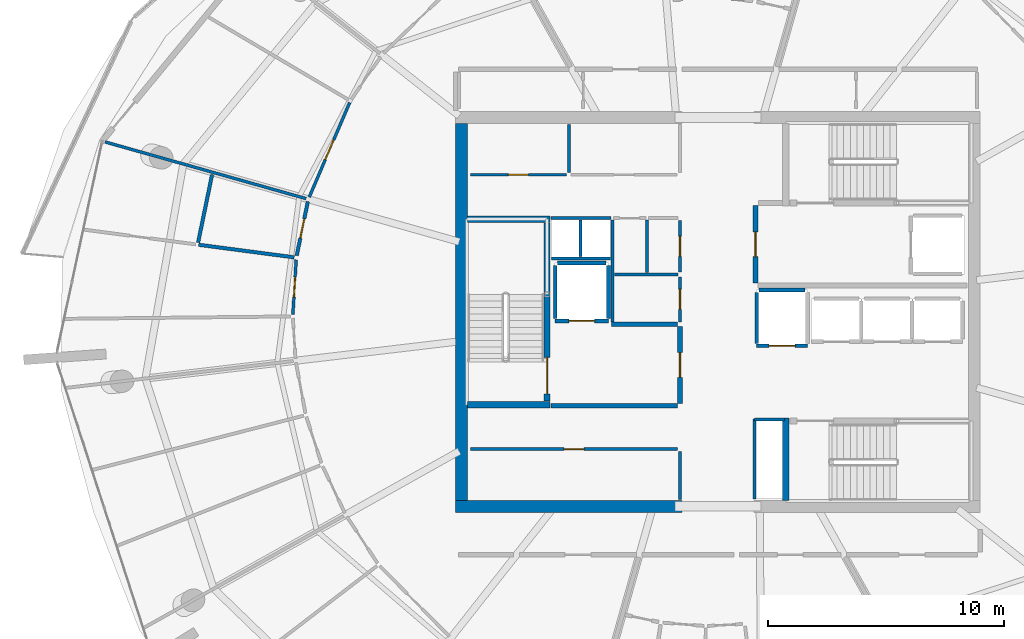
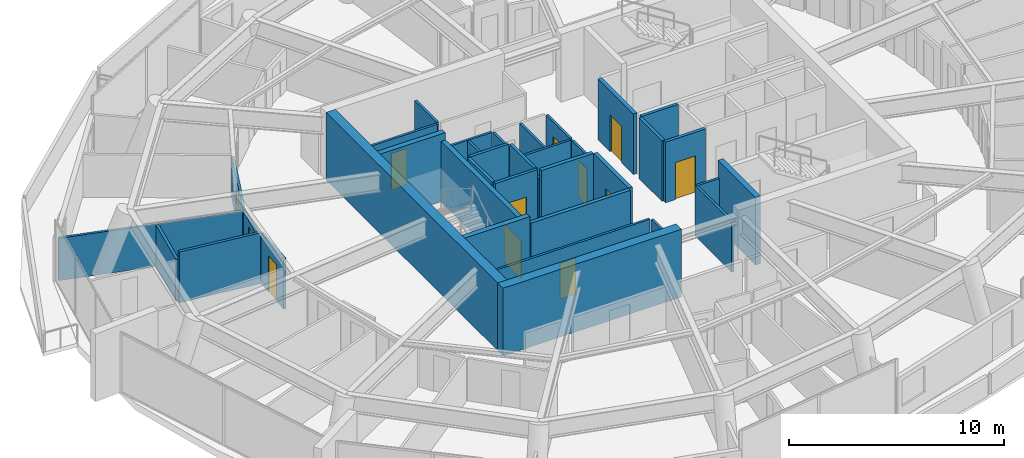
# One storey, part 15 of 24: 37 walls, 12 doors, 12 openings.
"""IFC4 building model written with IfcOpenShell, lengths in metres."""

from ifc_helpers import new_model, si_unit, direction, frame, frame_2d, origin, place, context, subcontext, project, spatial, rectangle, extrude, material, layer, layer_set, type_object, element, fill, save


model = new_model("IFC4")

# Units and contexts
model_context = context("Model", 3, precision=1e-05, world=origin(), true_north=direction((0.0, 1.0)))
body_context = subcontext(model_context, "Body", "Model", "MODEL_VIEW")
ifc_project = project(units=[si_unit("LENGTHUNIT", "METRE"), si_unit("AREAUNIT", "SQUARE_METRE"), si_unit("VOLUMEUNIT", "CUBIC_METRE"), si_unit("PLANEANGLEUNIT", "RADIAN"), si_unit("MASSUNIT", "GRAM", prefix="KILO")], contexts=[model_context])

# Site, building, storey
site_placement = place(None, origin())
site = spatial("IfcSite", under=ifc_project, at=site_placement, CompositionType="ELEMENT")
building_placement = place(site_placement, origin())
building = spatial("IfcBuilding", under=site, at=building_placement, Name="Kazma Halo Residences", CompositionType="ELEMENT")
storey_placement = place(building_placement, frame((0.0, 0.0, 309.85009765625)))
storey = spatial("IfcBuildingStorey", under=building, at=storey_placement, Name="L78", CompositionType="ELEMENT", Elevation=309.85009765625)

# Walls
ifc_material_1 = material(Name="Concrete C60/75", Category="concrete")
ifc_layer_1 = layer(ifc_material_1, 0.5)
ifc_layer_set_1 = layer_set([ifc_layer_1], Name="Concrete C60/75")
wall_type_1 = type_object("IfcWallType", Name="WL-CORE-500", PredefinedType="SHEAR", material=ifc_layer_set_1)
wall_1_placement = place(storey_placement, frame((37.300048828125, 33.75, 0.0), z_axis=(0.0, 0.0, 1.0), x_axis=(1.0, 0.0, 0.0)))
element("IfcWall", 1, at=wall_1_placement, inside=storey, type_object=wall_type_1, Name="L78 central core shear wall SW", PredefinedType="SHEAR", context=body_context, shape_type="SweptSolid", body=[
    extrude(rectangle(XDim=9.599853515625, YDim=0.5, at=frame_2d((4.7998046875, 0.0))), origin(), (0.0, 0.0, 1.0), 3.849853515625),
])
wall_2_placement = place(storey_placement, frame((37.550048828125, 34.0, 0.0), z_axis=(0.0, 0.0, 1.0), x_axis=(0.0, 1.0, 0.0)))
element("IfcWall", 2, at=wall_2_placement, inside=storey, type_object=wall_type_1, Name="L78 central core shear wall W", PredefinedType="SHEAR", context=body_context, shape_type="SweptSolid", body=[
    extrude(rectangle(XDim=16.0, YDim=0.5, at=frame_2d((8.0, 0.0))), origin(), (0.0, 0.0, 1.0), 3.849853515625),
])
ifc_layer_2 = layer(ifc_material_1, 0.280029296875)
ifc_layer_set_2 = layer_set([ifc_layer_2], Name="Concrete C60/75")
wall_type_2 = type_object("IfcWallType", Name="WL-CORE-ST-280", PredefinedType="SHEAR", material=ifc_layer_set_2)
for number, where, z_axis, x_axis, name in (
    (3, (37.800048828125, 38.06005859375, 0.0), (0.0, 0.0, 1.0), (1.0, 0.0, 0.0), "L78 stairwell bearing wall ST01-S"),
    (4, (37.800048828125, 45.93994140625, 0.0), (0.0, 0.0, 1.0), (1.0, 0.0, 0.0), "L78 stairwell bearing wall ST01-N"),
    (5, (51.31005859375, 34.0, 0.0), (0.0, 0.0, 1.0), (0.0, 1.0, 0.0), "L78 stairwell bearing wall ST03-W"),
):
    element("IfcWall", number, at=place(storey_placement, frame(where, z_axis=z_axis, x_axis=x_axis)), inside=storey, type_object=wall_type_2, Name=name, PredefinedType="SHEAR", context=body_context, shape_type="SweptSolid", body=[
        extrude(rectangle(XDim=3.5, YDim=0.280029296875, at=frame_2d((1.75, 0.0))), origin(), (0.0, 0.0, 1.0), 3.849853515625),
    ])

# Wall, opening, door
ifc_material_2 = material(Name="Fire-Rated Blockwork Masonry", Category="masonry")
ifc_layer_3 = layer(ifc_material_2, 0.199951171875)
ifc_layer_set_3 = layer_set([ifc_layer_3], Name="Fire-Rated Blockwork Masonry")
wall_type_3 = type_object("IfcWallType", Name="WL-FLB-200", PredefinedType="PARTITIONING", material=ifc_layer_set_3)
wall_3_placement = place(storey_placement, frame((43.780029296875, 41.6201171875, 0.0), z_axis=(0.0, 0.0, 1.0), x_axis=(-1.0, 0.0, 0.0)))
wall_3 = element("IfcWall", 6, at=wall_3_placement, inside=storey, type_object=wall_type_3, Name="L78 lift shaft FL-01 front wall", PredefinedType="PARTITIONING", context=body_context, shape_type="SweptSolid", body=[
    extrude(rectangle(XDim=2.260009765625, YDim=0.159912109375, at=frame_2d((1.1298828125, 0.0))), origin(), (0.0, 0.0, 1.0), 3.449951171875),
])
opening_1_placement = place(wall_3_placement, frame((0.580078125, 0.0, 0.0)))
opening_1 = element("IfcOpeningElement", 7, at=opening_1_placement, cuts=wall_3, Name="Opening LD-FL-01", PredefinedType="OPENING", context=body_context, shape_type="SweptSolid", body=[
    extrude(rectangle(XDim=1.10009765625, YDim=2.10009765625, at=frame_2d((0.550048828125, 1.050048828125))), frame((0.0, 0.08984375, 0.0), z_axis=(0.0, -1.0, 0.0), x_axis=(1.0, 0.0, 0.0)), (0.0, 0.0, 1.0), 0.179931640625),
])
ifc_material_3 = material(Name="Stainless Steel Fire-Rated", Category="steel")
door_type_1 = type_object("IfcDoorType", Name="DR-LIFT-SLD-1100", OperationType="DOUBLE_DOOR_SLIDING", PredefinedType="DOOR", material=ifc_material_3)
door_1_placement = place(opening_1_placement, origin())
door_1 = element("IfcDoor", 8, at=door_1_placement, inside=storey, type_object=door_type_1, Name="L78 lift FL-01 sliding landing door", OperationType="DOUBLE_DOOR_SLIDING", OverallHeight=2.10009765625, OverallWidth=1.10009765625, PredefinedType="DOOR", context=body_context, shape_type="SweptSolid", body=[
    extrude(rectangle(XDim=1.10009765625, YDim=2.10009765625, at=frame_2d((0.550048828125, 1.050048828125))), frame((0.0, 0.02490234375, 0.0), z_axis=(0.0, -1.0, 0.0), x_axis=(1.0, 0.0, 0.0)), (0.0, 0.0, 1.0), 0.050048828125),
])
fill(opening_1, door_1)

# Walls
for number, where, z_axis, x_axis, name in (
    (9, (43.780029296875, 41.719970703125, 0.0), (0.0, 0.0, 1.0), (0.0, 1.0, 0.0), "L78 lift shaft FL-01 side wall E"),
    (10, (41.52001953125, 41.719970703125, 0.0), (0.0, 0.0, 1.0), (0.0, 1.0, 0.0), "L78 lift shaft FL-01 side wall W"),
):
    element("IfcWall", number, at=place(storey_placement, frame(where, z_axis=z_axis, x_axis=x_axis)), inside=storey, type_object=wall_type_3, Name=name, PredefinedType="PARTITIONING", context=body_context, shape_type="SweptSolid", body=[
        extrude(rectangle(XDim=2.260009765625, YDim=0.159912109375, at=frame_2d((1.1298828125, 0.0))), origin(), (0.0, 0.0, 1.0), 3.449951171875),
    ])
wall_4_placement = place(storey_placement, frame((41.6201171875, 44.080078125, 0.0), z_axis=(0.0, 0.0, 1.0), x_axis=(1.0, 0.0, 0.0)))
element("IfcWall", 11, at=wall_4_placement, inside=storey, type_object=wall_type_3, Name="L78 lift shaft FL-01 side wall N", PredefinedType="PARTITIONING", context=body_context, shape_type="SweptSolid", body=[
    extrude(rectangle(XDim=2.059814453125, YDim=0.159912109375, at=frame_2d((1.02978515625, 0.0))), origin(), (0.0, 0.0, 1.0), 3.449951171875),
])

# Wall, opening, door
wall_5_placement = place(storey_placement, frame((52.22998046875, 40.570068359375, 0.0), z_axis=(0.0, 0.0, 1.0), x_axis=(-1.0, 0.0, 0.0)))
wall_5 = element("IfcWall", 12, at=wall_5_placement, inside=storey, type_object=wall_type_3, Name="L78 lift shaft SV-01 front wall", PredefinedType="PARTITIONING", context=body_context, shape_type="SweptSolid", body=[
    extrude(rectangle(XDim=2.159912109375, YDim=0.159912109375, at=frame_2d((1.080078125, 0.0))), origin(), (0.0, 0.0, 1.0), 3.449951171875),
])
opening_2_placement = place(wall_5_placement, frame((0.530029296875, 0.0, 0.0)))
opening_2 = element("IfcOpeningElement", 13, at=opening_2_placement, cuts=wall_5, Name="Opening LD-SV-01", PredefinedType="OPENING", context=body_context, shape_type="SweptSolid", body=[
    extrude(rectangle(XDim=1.10009765625, YDim=2.10009765625, at=frame_2d((0.550048828125, 1.050048828125))), frame((0.0, 0.08984375, 0.0), z_axis=(0.0, -1.0, 0.0), x_axis=(1.0, 0.0, 0.0)), (0.0, 0.0, 1.0), 0.179931640625),
])
door_2_placement = place(opening_2_placement, origin())
door_2 = element("IfcDoor", 14, at=door_2_placement, inside=storey, type_object=door_type_1, Name="L78 lift SV-01 sliding landing door", OperationType="DOUBLE_DOOR_SLIDING", OverallHeight=2.10009765625, OverallWidth=1.10009765625, PredefinedType="DOOR", context=body_context, shape_type="SweptSolid", body=[
    extrude(rectangle(XDim=1.10009765625, YDim=2.10009765625, at=frame_2d((0.550048828125, 1.050048828125))), frame((0.0, 0.02490234375, 0.0), z_axis=(0.0, -1.0, 0.0), x_axis=(1.0, 0.0, 0.0)), (0.0, 0.0, 1.0), 0.050048828125),
])
fill(opening_2, door_2)

# Walls
wall_6_placement = place(storey_placement, frame((50.070068359375, 40.669921875, 0.0), z_axis=(0.0, 0.0, 1.0), x_axis=(0.0, 1.0, 0.0)))
element("IfcWall", 15, at=wall_6_placement, inside=storey, type_object=wall_type_3, Name="L78 lift shaft SV-01 side wall W", PredefinedType="PARTITIONING", context=body_context, shape_type="SweptSolid", body=[
    extrude(rectangle(XDim=2.16015625, YDim=0.159912109375, at=frame_2d((1.080078125, 0.0))), origin(), (0.0, 0.0, 1.0), 3.449951171875),
])
wall_7_placement = place(storey_placement, frame((50.169921875, 42.929931640625, 0.0), z_axis=(0.0, 0.0, 1.0), x_axis=(1.0, 0.0, 0.0)))
element("IfcWall", 16, at=wall_7_placement, inside=storey, type_object=wall_type_3, Name="L78 lift shaft SV-01 side wall N", PredefinedType="PARTITIONING", context=body_context, shape_type="SweptSolid", body=[
    extrude(rectangle(XDim=1.9599609375, YDim=0.159912109375, at=frame_2d((0.97998046875, 0.0))), origin(), (0.0, 0.0, 1.0), 3.449951171875),
])
wall_8_placement = place(storey_placement, frame((41.35009765625, 38.02001953125, 0.0), z_axis=(0.0, 0.0, 1.0), x_axis=(1.0, 0.0, 0.0)))
element("IfcWall", 17, at=wall_8_placement, inside=storey, type_object=wall_type_3, Name="L78 west firefighting lobby south smoke wall", PredefinedType="PARTITIONING", context=body_context, shape_type="SweptSolid", body=[
    extrude(rectangle(XDim=5.369873046875, YDim=0.199951171875, at=frame_2d((2.68505859375, 0.0))), origin(), (0.0, 0.0, 1.0), 3.449951171875),
])
wall_9_placement = place(storey_placement, frame((43.919921875, 41.47998046875, 0.0), z_axis=(0.0, 0.0, 1.0), x_axis=(1.0, 0.0, 0.0)))
element("IfcWall", 18, at=wall_9_placement, inside=storey, type_object=wall_type_3, Name="L78 west firefighting lobby north smoke wall", PredefinedType="PARTITIONING", context=body_context, shape_type="SweptSolid", body=[
    extrude(rectangle(XDim=2.800048828125, YDim=0.199951171875, at=frame_2d((1.39990234375, 0.0))), origin(), (0.0, 0.0, 1.0), 3.449951171875),
])

# Wall, opening, door
wall_10_placement = place(storey_placement, frame((46.820068359375, 38.1201171875, 0.0), z_axis=(0.0, 0.0, 1.0), x_axis=(0.0, 1.0, 0.0)))
wall_10 = element("IfcWall", 19, at=wall_10_placement, inside=storey, type_object=wall_type_3, Name="L78 west firefighting lobby smoke wall", PredefinedType="PARTITIONING", context=body_context, shape_type="SweptSolid", body=[
    extrude(rectangle(XDim=3.259765625, YDim=0.199951171875, at=frame_2d((1.6298828125, 0.0))), origin(), (0.0, 0.0, 1.0), 3.449951171875),
])
opening_3_placement = place(wall_10_placement, frame((1.10498046875, 0.0, 0.0)))
opening_3 = element("IfcOpeningElement", 20, at=opening_3_placement, cuts=wall_10, Name="Opening D-FLW", PredefinedType="OPENING", context=body_context, shape_type="SweptSolid", body=[
    extrude(rectangle(XDim=1.050048828125, YDim=2.10009765625, at=frame_2d((0.52490234375, 1.050048828125))), frame((0.0, 0.10986328125, 0.0), z_axis=(0.0, -1.0, 0.0), x_axis=(1.0, 0.0, 0.0)), (0.0, 0.0, 1.0), 0.219970703125),
])
ifc_material_4 = material(Name="Fire-Rated Steel Leaf", Category="steel")
door_type_2 = type_object("IfcDoorType", Name="DR-FD90-1050", OperationType="NOTDEFINED", PredefinedType="DOOR", material=ifc_material_4)
door_3_placement = place(opening_3_placement, origin())
door_3 = element("IfcDoor", 21, at=door_3_placement, inside=storey, type_object=door_type_2, Name="L78 west firefighting lobby smoke door", OperationType="SINGLE_SWING_LEFT", OverallHeight=2.10009765625, OverallWidth=1.050048828125, PredefinedType="DOOR", context=body_context, shape_type="SweptSolid", body=[
    extrude(rectangle(XDim=1.050048828125, YDim=2.10009765625, at=frame_2d((0.52490234375, 1.050048828125))), frame((0.0, 0.02490234375, 0.0), z_axis=(0.0, -1.0, 0.0), x_axis=(1.0, 0.0, 0.0)), (0.0, 0.0, 1.0), 0.050048828125),
])
fill(opening_3, door_3)

wall_11_placement = place(storey_placement, frame((50.02001953125, 43.219970703125, 0.0), z_axis=(0.0, 0.0, 1.0), x_axis=(0.0, 1.0, 0.0)))
wall_11 = element("IfcWall", 22, at=wall_11_placement, inside=storey, type_object=wall_type_3, Name="L78 east firefighting lobby smoke wall", PredefinedType="PARTITIONING", context=body_context, shape_type="SweptSolid", body=[
    extrude(rectangle(XDim=3.300048828125, YDim=0.199951171875, at=frame_2d((1.64990234375, 0.0))), origin(), (0.0, 0.0, 1.0), 3.449951171875),
])
opening_4_placement = place(wall_11_placement, frame((1.125, 0.0, 0.0)))
opening_4 = element("IfcOpeningElement", 23, at=opening_4_placement, cuts=wall_11, Name="Opening D-FLE", PredefinedType="OPENING", context=body_context, shape_type="SweptSolid", body=[
    extrude(rectangle(XDim=1.050048828125, YDim=2.10009765625, at=frame_2d((0.52490234375, 1.050048828125))), frame((0.0, 0.10986328125, 0.0), z_axis=(0.0, -1.0, 0.0), x_axis=(1.0, 0.0, 0.0)), (0.0, 0.0, 1.0), 0.219970703125),
])
door_4_placement = place(opening_4_placement, origin())
door_4 = element("IfcDoor", 24, at=door_4_placement, inside=storey, type_object=door_type_2, Name="L78 east firefighting lobby smoke door", OperationType="SINGLE_SWING_RIGHT", OverallHeight=2.10009765625, OverallWidth=1.050048828125, PredefinedType="DOOR", context=body_context, shape_type="SweptSolid", body=[
    extrude(rectangle(XDim=1.050048828125, YDim=2.10009765625, at=frame_2d((0.52490234375, 1.050048828125))), frame((0.0, 0.02490234375, 0.0), z_axis=(0.0, -1.0, 0.0), x_axis=(1.0, 0.0, 0.0)), (0.0, 0.0, 1.0), 0.050048828125),
])
fill(opening_4, door_4)

# Wall
ifc_material_5 = material(Name="Gypsum Plasterboard Partition")
ifc_layer_4 = layer(ifc_material_5, 0.125)
ifc_layer_set_4 = layer_set([ifc_layer_4], Name="Gypsum Plasterboard Partition")
wall_type_4 = type_object("IfcWallType", Name="WL-PART-125", PredefinedType="PARTITIONING", material=ifc_layer_set_4)
wall_12_placement = place(storey_placement, frame((46.820068359375, 34.050048828125, 0.0), z_axis=(0.0, 0.0, 1.0), x_axis=(0.0, 1.0, 0.0)))
element("IfcWall", 25, at=wall_12_placement, inside=storey, type_object=wall_type_4, Name="L78 reclaimed south east wall", PredefinedType="PARTITIONING", context=body_context, shape_type="SweptSolid", body=[
    extrude(rectangle(XDim=2.030029296875, YDim=0.125, at=frame_2d((1.01513671875, 0.0))), origin(), (0.0, 0.0, 1.0), 2.889892578125),
])

# Wall, opening, door
wall_13_placement = place(storey_placement, frame((37.919921875, 36.179931640625, 0.0), z_axis=(0.0, 0.0, 1.0), x_axis=(1.0, 0.0, 0.0)))
wall_13 = element("IfcWall", 26, at=wall_13_placement, inside=storey, type_object=wall_type_4, Name="L78 reclaimed south front wall", PredefinedType="PARTITIONING", context=body_context, shape_type="SweptSolid", body=[
    extrude(rectangle(XDim=8.800048828125, YDim=0.125, at=frame_2d((4.39990234375, 0.0))), origin(), (0.0, 0.0, 1.0), 2.889892578125),
])
opening_5_placement = place(wall_13_placement, frame((3.97509765625, 0.0, 0.0)))
opening_5 = element("IfcOpeningElement", 27, at=opening_5_placement, cuts=wall_13, Name="Opening DS-850", PredefinedType="OPENING", context=body_context, shape_type="SweptSolid", body=[
    extrude(rectangle(XDim=0.85009765625, YDim=2.06005859375, at=frame_2d((0.425048828125, 1.030029296875))), frame((0.0, 0.072509765625, 0.0), z_axis=(0.0, -1.0, 0.0), x_axis=(1.0, 0.0, 0.0)), (0.0, 0.0, 1.0), 0.14501953125),
])
ifc_material_6 = material(Name="Painted Steel Access Leaf", Category="steel")
door_type_3 = type_object("IfcDoorType", Name="DR-SVC-850", OperationType="NOTDEFINED", PredefinedType="DOOR", material=ifc_material_6)
door_5_placement = place(opening_5_placement, origin())
door_5 = element("IfcDoor", 28, at=door_5_placement, inside=storey, type_object=door_type_3, Name="L78 reclaimed south service door", OperationType="SINGLE_SWING_LEFT", OverallHeight=2.06005859375, OverallWidth=0.85009765625, PredefinedType="DOOR", context=body_context, shape_type="SweptSolid", body=[
    extrude(rectangle(XDim=0.85009765625, YDim=2.06005859375, at=frame_2d((0.425048828125, 1.030029296875))), frame((0.0, 0.02490234375, 0.0), z_axis=(0.0, -1.0, 0.0), x_axis=(1.0, 0.0, 0.0)), (0.0, 0.0, 1.0), 0.050048828125),
])
fill(opening_5, door_5)

# Wall
wall_14_placement = place(storey_placement, frame((42.10009765625, 47.919921875, 0.0), z_axis=(0.0, 0.0, 1.0), x_axis=(0.0, 1.0, 0.0)))
element("IfcWall", 29, at=wall_14_placement, inside=storey, type_object=wall_type_4, Name="L78 reclaimed north divider wall", PredefinedType="PARTITIONING", context=body_context, shape_type="SweptSolid", body=[
    extrude(rectangle(XDim=2.030029296875, YDim=0.125, at=frame_2d((1.01513671875, 0.0))), origin(), (0.0, 0.0, 1.0), 2.889892578125),
])

# Wall, opening, door
wall_15_placement = place(storey_placement, frame((37.919921875, 47.820068359375, 0.0), z_axis=(0.0, 0.0, 1.0), x_axis=(1.0, 0.0, 0.0)))
wall_15 = element("IfcWall", 30, at=wall_15_placement, inside=storey, type_object=wall_type_4, Name="L78 reclaimed north W front wall", PredefinedType="PARTITIONING", context=body_context, shape_type="SweptSolid", body=[
    extrude(rectangle(XDim=4.080078125, YDim=0.125, at=frame_2d((2.0400390625, 0.0))), origin(), (0.0, 0.0, 1.0), 2.889892578125),
])
opening_6_placement = place(wall_15_placement, frame((1.614990234375, 0.0, 0.0)))
opening_6 = element("IfcOpeningElement", 31, at=opening_6_placement, cuts=wall_15, Name="Opening DS-850", PredefinedType="OPENING", context=body_context, shape_type="SweptSolid", body=[
    extrude(rectangle(XDim=0.85009765625, YDim=2.06005859375, at=frame_2d((0.425048828125, 1.030029296875))), frame((0.0, 0.072509765625, 0.0), z_axis=(0.0, -1.0, 0.0), x_axis=(1.0, 0.0, 0.0)), (0.0, 0.0, 1.0), 0.14501953125),
])
door_6_placement = place(opening_6_placement, origin())
door_6 = element("IfcDoor", 32, at=door_6_placement, inside=storey, type_object=door_type_3, Name="L78 reclaimed north W door", OperationType="SINGLE_SWING_RIGHT", OverallHeight=2.06005859375, OverallWidth=0.85009765625, PredefinedType="DOOR", context=body_context, shape_type="SweptSolid", body=[
    extrude(rectangle(XDim=0.85009765625, YDim=2.06005859375, at=frame_2d((0.425048828125, 1.030029296875))), frame((0.0, 0.02490234375, 0.0), z_axis=(0.0, -1.0, 0.0), x_axis=(1.0, 0.0, 0.0)), (0.0, 0.0, 1.0), 0.050048828125),
])
fill(opening_6, door_6)

# Walls
wall_16_placement = place(storey_placement, frame((41.360107421875, 44.260009765625, 0.0), z_axis=(0.0, 0.0, 1.0), x_axis=(1.0, 0.0, 0.0)))
element("IfcWall", 33, at=wall_16_placement, inside=storey, type_object=wall_type_4, Name="L78 core riser south wall", PredefinedType="PARTITIONING", context=body_context, shape_type="SweptSolid", body=[
    extrude(rectangle(XDim=2.5, YDim=0.125, at=frame_2d((1.25, 0.0))), origin(), (0.0, 0.0, 1.0), 2.889892578125),
])
wall_17_placement = place(storey_placement, frame((42.60009765625, 44.35009765625, 0.0), z_axis=(0.0, 0.0, 1.0), x_axis=(0.0, 1.0, 0.0)))
element("IfcWall", 34, at=wall_17_placement, inside=storey, type_object=wall_type_4, Name="L78 core riser divider wall", PredefinedType="PARTITIONING", context=body_context, shape_type="SweptSolid", body=[
    extrude(rectangle(XDim=1.5498046875, YDim=0.125, at=frame_2d((0.77490234375, 0.0))), origin(), (0.0, 0.0, 1.0), 2.889892578125),
])
wall_18_placement = place(storey_placement, frame((49.97998046875, 34.06005859375, 0.0), z_axis=(0.0, 0.0, 1.0), x_axis=(0.0, 1.0, 0.0)))
element("IfcWall", 35, at=wall_18_placement, inside=storey, type_object=wall_type_4, Name="L78 standpipe riser wall", PredefinedType="PARTITIONING", context=body_context, shape_type="SweptSolid", body=[
    extrude(rectangle(XDim=3.39990234375, YDim=0.125, at=frame_2d((1.699951171875, 0.0))), origin(), (0.0, 0.0, 1.0), 2.889892578125),
])
wall_19_placement = place(storey_placement, frame((49.97998046875, 37.43994140625, 0.0), z_axis=(0.0, 0.0, 1.0), x_axis=(1.0, 0.0, 0.0)))
element("IfcWall", 36, at=wall_19_placement, inside=storey, type_object=wall_type_4, Name="L78 standpipe riser north wall", PredefinedType="PARTITIONING", context=body_context, shape_type="SweptSolid", body=[
    extrude(rectangle(XDim=1.260009765625, YDim=0.125, at=frame_2d((0.6298828125, 0.0))), origin(), (0.0, 0.0, 1.0), 2.889892578125),
])
wall_20_placement = place(storey_placement, frame((43.949951171875, 41.580078125, 0.0), z_axis=(0.0, 0.0, 1.0), x_axis=(0.0, 1.0, 0.0)))
element("IfcWall", 37, at=wall_20_placement, inside=storey, type_object=wall_type_4, Name="L78 core service west wall", PredefinedType="PARTITIONING", context=body_context, shape_type="SweptSolid", body=[
    extrude(rectangle(XDim=4.31982421875, YDim=0.125, at=frame_2d((2.159912109375, 0.0))), origin(), (0.0, 0.0, 1.0), 2.889892578125),
])
wall_21_placement = place(storey_placement, frame((44.030029296875, 43.590087890625, 0.0), z_axis=(0.0, 0.0, 1.0), x_axis=(1.0, 0.0, 0.0)))
element("IfcWall", 38, at=wall_21_placement, inside=storey, type_object=wall_type_4, Name="L78 core service horiz divider", PredefinedType="PARTITIONING", context=body_context, shape_type="SweptSolid", body=[
    extrude(rectangle(XDim=2.7099609375, YDim=0.125, at=frame_2d((1.35498046875, 0.0))), origin(), (0.0, 0.0, 1.0), 2.889892578125),
])
wall_22_placement = place(storey_placement, frame((45.409912109375, 43.669921875, 0.0), z_axis=(0.0, 0.0, 1.0), x_axis=(0.0, 1.0, 0.0)))
element("IfcWall", 39, at=wall_22_placement, inside=storey, type_object=wall_type_4, Name="L78 core service vert divider", PredefinedType="PARTITIONING", context=body_context, shape_type="SweptSolid", body=[
    extrude(rectangle(XDim=2.22998046875, YDim=0.125, at=frame_2d((1.114990234375, 0.0))), origin(), (0.0, 0.0, 1.0), 2.889892578125),
])

# Wall, opening, door
wall_23_placement = place(storey_placement, frame((46.820068359375, 41.580078125, 0.0), z_axis=(0.0, 0.0, 1.0), x_axis=(0.0, 1.0, 0.0)))
wall_23 = element("IfcWall", 40, at=wall_23_placement, inside=storey, type_object=wall_type_4, Name="L78 refuse room east wall", PredefinedType="PARTITIONING", context=body_context, shape_type="SweptSolid", body=[
    extrude(rectangle(XDim=1.909912109375, YDim=0.125, at=frame_2d((0.955078125, 0.0))), origin(), (0.0, 0.0, 1.0), 2.889892578125),
])
opening_7_placement = place(wall_23_placement, frame((0.530029296875, 0.0, 0.0)))
opening_7 = element("IfcOpeningElement", 41, at=opening_7_placement, cuts=wall_23, Name="Opening DS-850", PredefinedType="OPENING", context=body_context, shape_type="SweptSolid", body=[
    extrude(rectangle(XDim=0.85009765625, YDim=2.06005859375, at=frame_2d((0.425048828125, 1.030029296875))), frame((0.0, 0.072509765625, 0.0), z_axis=(0.0, -1.0, 0.0), x_axis=(1.0, 0.0, 0.0)), (0.0, 0.0, 1.0), 0.14501953125),
])
door_7_placement = place(opening_7_placement, origin())
door_7 = element("IfcDoor", 42, at=door_7_placement, inside=storey, type_object=door_type_3, Name="L78 refuse room door", OperationType="SINGLE_SWING_LEFT", OverallHeight=2.06005859375, OverallWidth=0.85009765625, PredefinedType="DOOR", context=body_context, shape_type="SweptSolid", body=[
    extrude(rectangle(XDim=0.85009765625, YDim=2.06005859375, at=frame_2d((0.425048828125, 1.030029296875))), frame((0.0, 0.02490234375, 0.0), z_axis=(0.0, -1.0, 0.0), x_axis=(1.0, 0.0, 0.0)), (0.0, 0.0, 1.0), 0.050048828125),
])
fill(opening_7, door_7)

wall_24_placement = place(storey_placement, frame((46.820068359375, 43.68994140625, 0.0), z_axis=(0.0, 0.0, 1.0), x_axis=(0.0, 1.0, 0.0)))
wall_24 = element("IfcWall", 43, at=wall_24_placement, inside=storey, type_object=wall_type_4, Name="L78 sub-metering east wall", PredefinedType="PARTITIONING", context=body_context, shape_type="SweptSolid", body=[
    extrude(rectangle(XDim=2.18994140625, YDim=0.125, at=frame_2d((1.094970703125, 0.0))), origin(), (0.0, 0.0, 1.0), 2.889892578125),
])
opening_8_placement = place(wall_24_placement, frame((0.669921875, 0.0, 0.0)))
opening_8 = element("IfcOpeningElement", 44, at=opening_8_placement, cuts=wall_24, Name="Opening DS-850", PredefinedType="OPENING", context=body_context, shape_type="SweptSolid", body=[
    extrude(rectangle(XDim=0.85009765625, YDim=2.06005859375, at=frame_2d((0.425048828125, 1.030029296875))), frame((0.0, 0.072509765625, 0.0), z_axis=(0.0, -1.0, 0.0), x_axis=(1.0, 0.0, 0.0)), (0.0, 0.0, 1.0), 0.14501953125),
])
door_8_placement = place(opening_8_placement, origin())
door_8 = element("IfcDoor", 45, at=door_8_placement, inside=storey, type_object=door_type_3, Name="L78 sub-metering door", OperationType="SINGLE_SWING_RIGHT", OverallHeight=2.06005859375, OverallWidth=0.85009765625, PredefinedType="DOOR", context=body_context, shape_type="SweptSolid", body=[
    extrude(rectangle(XDim=0.85009765625, YDim=2.06005859375, at=frame_2d((0.425048828125, 1.030029296875))), frame((0.0, 0.02490234375, 0.0), z_axis=(0.0, -1.0, 0.0), x_axis=(1.0, 0.0, 0.0)), (0.0, 0.0, 1.0), 0.050048828125),
])
fill(opening_8, door_8)

# Wall
wall_25_placement = place(storey_placement, frame((41.35009765625, 45.97998046875, 0.0), z_axis=(0.0, 0.0, 1.0), x_axis=(1.0, 0.0, 0.0)))
element("IfcWall", 46, at=wall_25_placement, inside=storey, type_object=wall_type_4, Name="L78 core riser NW wall", PredefinedType="PARTITIONING", context=body_context, shape_type="SweptSolid", body=[
    extrude(rectangle(XDim=2.52978515625, YDim=0.125, at=frame_2d((1.264892578125, 0.0))), origin(), (0.0, 0.0, 1.0), 2.889892578125),
])

# Wall, opening, door
wall_26_placement = place(storey_placement, frame((32.802001953125, 50.879638671875, 0.0), z_axis=(0.0, 0.0, 1.0), x_axis=(-0.393202512587, -0.919451893301, 0.0)))
wall_26 = element("IfcWall", 47, at=wall_26_placement, inside=storey, type_object=wall_type_4, Name="L78 Apartment 2 Secondary Master Bedroom hall wall", PredefinedType="PARTITIONING", context=body_context, shape_type="SweptSolid", body=[
    extrude(rectangle(XDim=4.358154296875, YDim=0.125, at=frame_2d((2.17919921875, 0.0))), origin(), (0.0, 0.0, 1.0), 2.406982421875),
])
opening_9_placement = place(wall_26_placement, frame((1.72900390625, 0.0, 0.0)))
opening_9 = element("IfcOpeningElement", 48, at=opening_9_placement, cuts=wall_26, Name="Opening DI-950", PredefinedType="OPENING", context=body_context, shape_type="SweptSolid", body=[
    extrude(rectangle(XDim=0.89990234375, YDim=2.080078125, at=frame_2d((0.449951171875, 1.0400390625))), frame((0.0, 0.072509765625, 0.0), z_axis=(0.0, -1.0, 0.0), x_axis=(1.0, 0.0, 0.0)), (0.0, 0.0, 1.0), 0.14501953125),
])
ifc_material_7 = material(Name="Timber Veneer Flush Leaf", Category="wood")
door_type_4 = type_object("IfcDoorType", Name="DR-INT-950", OperationType="NOTDEFINED", PredefinedType="DOOR", material=ifc_material_7)
door_9_placement = place(opening_9_placement, origin())
door_9 = element("IfcDoor", 49, at=door_9_placement, inside=storey, type_object=door_type_4, Name="L78 Apartment 2 Secondary Master Bedroom door", OperationType="SINGLE_SWING_LEFT", OverallHeight=2.080078125, OverallWidth=0.89990234375, PredefinedType="DOOR", context=body_context, shape_type="SweptSolid", body=[
    extrude(rectangle(XDim=0.89990234375, YDim=2.080078125, at=frame_2d((0.449951171875, 1.0400390625))), frame((0.0, 0.02490234375, 0.0), z_axis=(0.0, -1.0, 0.0), x_axis=(1.0, 0.0, 0.0)), (0.0, 0.0, 1.0), 0.050048828125),
])
fill(opening_9, door_9)

# Wall
wall_27_placement = place(storey_placement, frame((30.952880859375, 46.8076171875, 0.0), z_axis=(0.0, 0.0, 1.0), x_axis=(-0.962447459721, 0.271468022568, 0.0)))
element("IfcWall", 50, at=wall_27_placement, inside=storey, type_object=wall_type_4, Name="L78 Apartment 2 radial partition 6", PredefinedType="PARTITIONING", context=body_context, shape_type="SweptSolid", body=[
    extrude(rectangle(XDim=8.855712890625, YDim=0.125, at=frame_2d((4.427734375, 0.0))), origin(), (0.0, 0.0, 1.0), 2.406982421875),
])

# Wall, opening, door
wall_28_placement = place(storey_placement, frame((30.533935546875, 44.213623046875, 0.0), z_axis=(0.0, 0.0, 1.0), x_axis=(-0.060210026204, -0.998185730586, 0.0)))
wall_28 = element("IfcWall", 51, at=wall_28_placement, inside=storey, type_object=wall_type_4, Name="L78 Apartment 2 North Private Study hall wall", PredefinedType="PARTITIONING", context=body_context, shape_type="SweptSolid", body=[
    extrude(rectangle(XDim=2.327392578125, YDim=0.125, at=frame_2d((1.16357421875, 0.0))), origin(), (0.0, 0.0, 1.0), 2.889892578125),
])
opening_10_placement = place(wall_28_placement, frame((0.73876953125, 0.0, 0.0)))
opening_10 = element("IfcOpeningElement", 52, at=opening_10_placement, cuts=wall_28, Name="Opening DB-900", PredefinedType="OPENING", context=body_context, shape_type="SweptSolid", body=[
    extrude(rectangle(XDim=0.85009765625, YDim=2.06005859375, at=frame_2d((0.425048828125, 1.030029296875))), frame((0.0, 0.072509765625, 0.0), z_axis=(0.0, -1.0, 0.0), x_axis=(1.0, 0.0, 0.0)), (0.0, 0.0, 1.0), 0.14501953125),
])
ifc_material_8 = material(Name="Moisture-Sealed Timber Leaf", Category="wood")
door_type_5 = type_object("IfcDoorType", Name="DR-BTH-900", OperationType="NOTDEFINED", PredefinedType="DOOR", material=ifc_material_8)
door_10_placement = place(opening_10_placement, origin())
door_10 = element("IfcDoor", 53, at=door_10_placement, inside=storey, type_object=door_type_5, Name="L78 Apartment 2 North Private Study door", OperationType="SINGLE_SWING_LEFT", OverallHeight=2.06005859375, OverallWidth=0.85009765625, PredefinedType="DOOR", context=body_context, shape_type="SweptSolid", body=[
    extrude(rectangle(XDim=0.85009765625, YDim=2.06005859375, at=frame_2d((0.425048828125, 1.030029296875))), frame((0.0, 0.02490234375, 0.0), z_axis=(0.0, -1.0, 0.0), x_axis=(1.0, 0.0, 0.0)), (0.0, 0.0, 1.0), 0.050048828125),
])
fill(opening_10, door_10)

ifc_material_9 = material(Name="Concrete C50/60", Category="concrete")
ifc_layer_5 = layer(ifc_material_9, 0.25)
ifc_layer_set_5 = layer_set([ifc_layer_5], Name="Concrete C50/60")
wall_type_5 = type_object("IfcWallType", Name="WL-SHF-250", PredefinedType="SOLIDWALL", material=ifc_layer_set_5)
wall_29_placement = place(storey_placement, frame((41.179931640625, 38.219970703125, 0.0), z_axis=(0.0, 0.0, 1.0), x_axis=(0.0, 1.0, 0.0)))
wall_29 = element("IfcWall", 54, at=wall_29_placement, inside=storey, type_object=wall_type_5, Name="L78 exit stair ST-01 enclosure wall", PredefinedType="SOLIDWALL", context=body_context, shape_type="SweptSolid", body=[
    extrude(rectangle(XDim=7.56005859375, YDim=0.25, at=frame_2d((3.780029296875, 0.0))), origin(), (0.0, 0.0, 1.0), 3.449951171875),
])
opening_11_placement = place(wall_29_placement, frame((0.300048828125, 0.0, 0.0)))
opening_11 = element("IfcOpeningElement", 55, at=opening_11_placement, cuts=wall_29, Name="Opening D-ST1", PredefinedType="OPENING", context=body_context, shape_type="SweptSolid", body=[
    extrude(rectangle(XDim=1.550048828125, YDim=2.14990234375, at=frame_2d((0.77490234375, 1.074951171875))), frame((0.0, 0.135009765625, 0.0), z_axis=(0.0, -1.0, 0.0), x_axis=(1.0, 0.0, 0.0)), (0.0, 0.0, 1.0), 0.27001953125),
])
ifc_material_10 = material(Name="Fire-Rated Double Steel Leaf", Category="steel")
door_type_6 = type_object("IfcDoorType", Name="DR-FD90-1550", OperationType="NOTDEFINED", PredefinedType="DOOR", material=ifc_material_10)
door_11_placement = place(opening_11_placement, origin())
door_11 = element("IfcDoor", 56, at=door_11_placement, inside=storey, type_object=door_type_6, Name="L78 exit stair ST-01 fire door", OperationType="DOUBLE_DOOR_SINGLE_SWING", OverallHeight=2.14990234375, OverallWidth=1.550048828125, PredefinedType="DOOR", context=body_context, shape_type="SweptSolid", body=[
    extrude(rectangle(XDim=1.550048828125, YDim=2.14990234375, at=frame_2d((0.77490234375, 1.074951171875))), frame((0.0, 0.02490234375, 0.0), z_axis=(0.0, -1.0, 0.0), x_axis=(1.0, 0.0, 0.0)), (0.0, 0.0, 1.0), 0.050048828125),
])
fill(opening_11, door_11)

ifc_material_11 = material(Name="Moisture-Resistant Gypsum")
ifc_layer_6 = layer(ifc_material_11, 0.14990234375)
ifc_layer_set_6 = layer_set([ifc_layer_6], Name="Moisture-Resistant Gypsum")
wall_type_6 = type_object("IfcWallType", Name="WL-WET-150", PredefinedType="PARTITIONING", material=ifc_layer_set_6)
wall_30_placement = place(storey_placement, frame((31.029052734375, 46.6826171875, 0.0), z_axis=(0.0, 0.0, 1.0), x_axis=(-0.20165292067, -0.979457043257, 0.0)))
wall_30 = element("IfcWall", 57, at=wall_30_placement, inside=storey, type_object=wall_type_6, Name="L78 Apartment 2 East En-Suite Bathroom hall wall", PredefinedType="PARTITIONING", context=body_context, shape_type="SweptSolid", body=[
    extrude(rectangle(XDim=2.339111328125, YDim=0.14990234375, at=frame_2d((1.16943359375, 0.0))), origin(), (0.0, 0.0, 1.0), 2.406982421875),
])
opening_12_placement = place(wall_30_placement, frame((0.74462890625, 0.0, 0.0)))
opening_12 = element("IfcOpeningElement", 58, at=opening_12_placement, cuts=wall_30, Name="Opening DB-900", PredefinedType="OPENING", context=body_context, shape_type="SweptSolid", body=[
    extrude(rectangle(XDim=0.85009765625, YDim=2.06005859375, at=frame_2d((0.425048828125, 1.030029296875))), frame((0.0, 0.0849609375, 0.0), z_axis=(0.0, -1.0, 0.0), x_axis=(1.0, 0.0, 0.0)), (0.0, 0.0, 1.0), 0.169921875),
])
door_12_placement = place(opening_12_placement, origin())
door_12 = element("IfcDoor", 59, at=door_12_placement, inside=storey, type_object=door_type_5, Name="L78 Apartment 2 East En-Suite Bathroom door", OperationType="SINGLE_SWING_LEFT", OverallHeight=2.06005859375, OverallWidth=0.85009765625, PredefinedType="DOOR", context=body_context, shape_type="SweptSolid", body=[
    extrude(rectangle(XDim=0.85009765625, YDim=2.06005859375, at=frame_2d((0.425048828125, 1.030029296875))), frame((0.0, 0.02490234375, 0.0), z_axis=(0.0, -1.0, 0.0), x_axis=(1.0, 0.0, 0.0)), (0.0, 0.0, 1.0), 0.050048828125),
])
fill(opening_12, door_12)

# Walls
wall_31_placement = place(storey_placement, frame((26.967529296875, 47.828125, 0.0), z_axis=(0.0, 0.0, 1.0), x_axis=(-0.201692684391, -0.979448855767, 0.0)))
element("IfcWall", 60, at=wall_31_placement, inside=storey, type_object=wall_type_6, Name="L78 Apartment 2 East En-Suite Bathroom back wall", PredefinedType="PARTITIONING", context=body_context, shape_type="SweptSolid", body=[
    extrude(rectangle(XDim=2.945068359375, YDim=0.14990234375, at=frame_2d((1.47265625, 0.0))), origin(), (0.0, 0.0, 1.0), 2.406982421875),
])
wall_32_placement = place(storey_placement, frame((30.4501953125, 44.315185546875, 0.0), z_axis=(0.0, 0.0, 1.0), x_axis=(-0.991410965895, 0.130783396127, 0.0)))
element("IfcWall", 61, at=wall_32_placement, inside=storey, type_object=wall_type_6, Name="L78 Apartment 2 East En-Suite Bathroom side wall", PredefinedType="PARTITIONING", context=body_context, shape_type="SweptSolid", body=[
    extrude(rectangle(XDim=4.090087890625, YDim=0.14990234375, at=frame_2d((2.044921875, 0.0))), origin(), (0.0, 0.0, 1.0), 2.889892578125),
])

save(model, "model.ifc")
